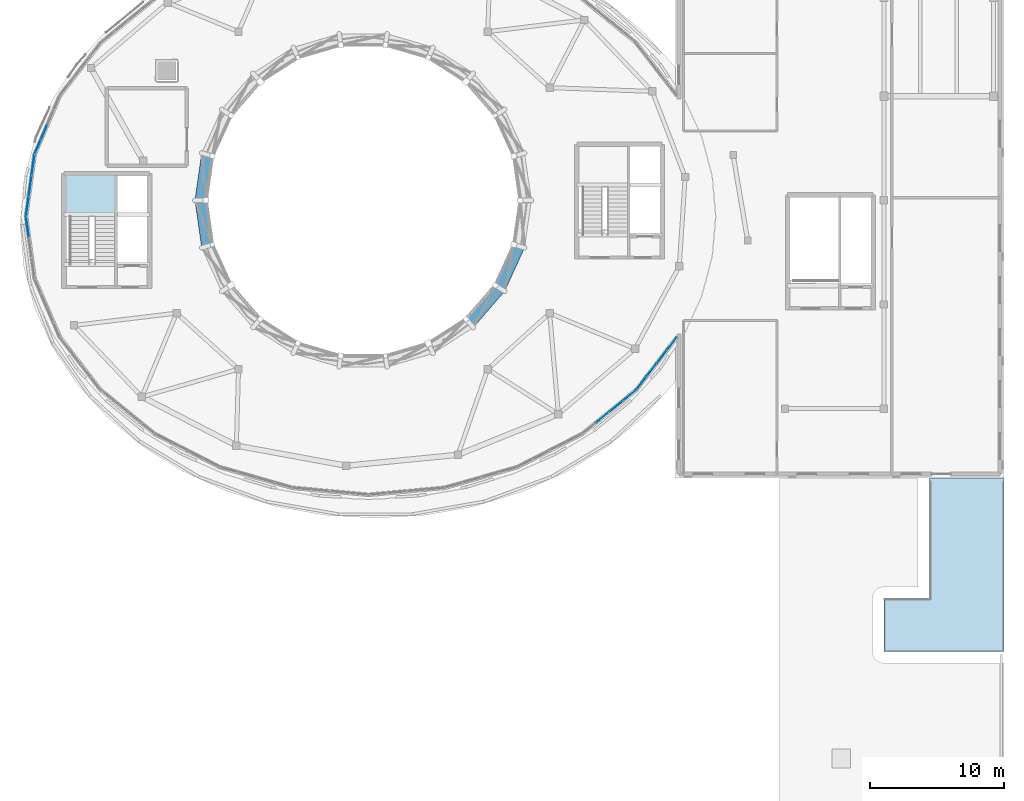
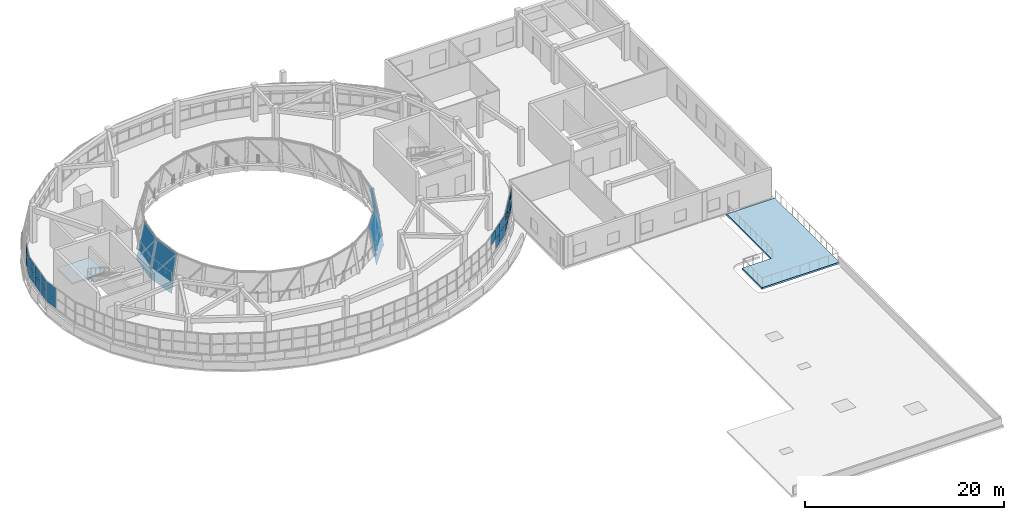
# One storey, part 30 of 46: 29 plates, 2 slabs, 6 elements without a shape of their own.
"""IFC4 building model written with IfcOpenShell, lengths in metres."""

from ifc_helpers import new_model, si_unit, direction, frame, origin, origin_2d, place, context, subcontext, project, spatial, polyline, rectangle, outline, extrude, material, layer, layer_set, type_object, element, aggregate, save


model = new_model("IFC4")

# Units and contexts
model_context = context("Model", 3, precision=1e-05, world=origin(), true_north=direction((0.0, 1.0)))
body_context = subcontext(model_context, "Body", "Model", "MODEL_VIEW")
ifc_project = project(units=[si_unit("LENGTHUNIT", "METRE"), si_unit("AREAUNIT", "SQUARE_METRE"), si_unit("VOLUMEUNIT", "CUBIC_METRE"), si_unit("PLANEANGLEUNIT", "RADIAN"), si_unit("MASSUNIT", "GRAM", prefix="KILO")], contexts=[model_context])

# Site, building, storey
site_placement = place(None, origin())
site = spatial("IfcSite", under=ifc_project, at=site_placement, CompositionType="ELEMENT")
building_placement = place(site_placement, origin())
building = spatial("IfcBuilding", under=site, at=building_placement, Name="Pelvatis Terrace Science Centre", CompositionType="ELEMENT")
storey_placement = place(building_placement, frame((0.0, 0.0, 19.800048828125)))
storey = spatial("IfcBuildingStorey", under=building, at=storey_placement, Name="L04", CompositionType="ELEMENT", Elevation=19.800048828125)

# Curtain wall, plates
ifc_material_1 = material(Name="Bronze-anodised aluminium and laminated glass", Category="aluminium")
ifc_layer_1 = layer(ifc_material_1, 0.14990234375)
ifc_layer_set_1 = layer_set([ifc_layer_1], Name="Bronze-anodised aluminium and laminated glass")
curtain_wall_type = type_object("IfcCurtainWallType", Name="CW-PASSAGE-C", PredefinedType="NOTDEFINED", material=ifc_layer_set_1)
curtain_wall_1_placement = place(storey_placement, origin())
curtain_wall_1 = element("IfcCurtainWall", 1, at=curtain_wall_1_placement, inside=storey, type_object=curtain_wall_type, Name="Ribbon curtain wall CW-223 (L04)", PredefinedType="NOTDEFINED")
ifc_material_2 = material(Name="Low-e laminated solar-control double glazing", Category="glass")
ifc_layer_2 = layer(ifc_material_2, 0.0400390625)
ifc_layer_set_2 = layer_set([ifc_layer_2], Name="Low-e laminated solar-control double glazing")
plate_type_1 = type_object("IfcPlateType", Name="CWP-SPN-40", PredefinedType="CURTAIN_PANEL", material=ifc_layer_set_2)
plate_1_placement = place(storey_placement, frame((85.304443359375, 90.89208984375, 1.074951171875), z_axis=(0.0, 0.0, 1.0), x_axis=(-0.395385330111, -0.918515345943, 0.0)))
plate_1 = element("IfcPlate", 2, at=plate_1_placement, type_object=plate_type_1, Name="CW-223 panel 3.1", PredefinedType="CURTAIN_PANEL", context=body_context, shape_type="SweptSolid", body=[
    extrude(rectangle(XDim=1.14453125, YDim=0.0400390625, at=origin_2d()), origin(), (0.0, 0.0, 1.0), 1.1923828125),
])
plate_2_placement = place(storey_placement, frame((85.304443359375, 90.89208984375, 2.322509765625), z_axis=(0.0, 0.0, 1.0), x_axis=(-0.395385330111, -0.918515345943, 0.0)))
plate_2 = element("IfcPlate", 3, at=plate_2_placement, type_object=plate_type_1, Name="CW-223 panel 3.2", PredefinedType="CURTAIN_PANEL", context=body_context, shape_type="SweptSolid", body=[
    extrude(rectangle(XDim=1.14453125, YDim=0.0400390625, at=origin_2d()), origin(), (0.0, 0.0, 1.0), 1.1923828125),
])
plate_3_placement = place(storey_placement, frame((84.835693359375, 89.802978515625, 1.074951171875), z_axis=(0.0, 0.0, 1.0), x_axis=(-0.395385330111, -0.918515345943, 0.0)))
plate_3 = element("IfcPlate", 4, at=plate_3_placement, type_object=plate_type_1, Name="CW-223 panel 4.1", PredefinedType="CURTAIN_PANEL", context=body_context, shape_type="SweptSolid", body=[
    extrude(rectangle(XDim=1.116943359375, YDim=0.0400390625, at=origin_2d()), origin(), (0.0, 0.0, 1.0), 1.1923828125),
])
plate_4_placement = place(storey_placement, frame((84.835693359375, 89.802978515625, 2.322509765625), z_axis=(0.0, 0.0, 1.0), x_axis=(-0.395385330111, -0.918515345943, 0.0)))
plate_4 = element("IfcPlate", 5, at=plate_4_placement, type_object=plate_type_1, Name="CW-223 panel 4.2", PredefinedType="CURTAIN_PANEL", context=body_context, shape_type="SweptSolid", body=[
    extrude(rectangle(XDim=1.116943359375, YDim=0.0400390625, at=origin_2d()), origin(), (0.0, 0.0, 1.0), 1.1923828125),
])
aggregate(curtain_wall_1, [plate_1, plate_2, plate_3, plate_4])

curtain_wall_2_placement = place(storey_placement, origin())
curtain_wall_2 = element("IfcCurtainWall", 6, at=curtain_wall_2_placement, inside=storey, type_object=curtain_wall_type, Name="Ribbon curtain wall CW-224 (L04)", PredefinedType="NOTDEFINED")
plate_5_placement = place(storey_placement, frame((84.484130859375, 88.45263671875, 1.074951171875), z_axis=(0.0, 0.0, 1.0), x_axis=(-0.137298402914, -0.990529731284, 0.0)))
plate_5 = element("IfcPlate", 7, at=plate_5_placement, type_object=plate_type_1, Name="CW-224 panel 1.1", PredefinedType="CURTAIN_PANEL", context=body_context, shape_type="SweptSolid", body=[
    extrude(rectangle(XDim=1.478759765625, YDim=0.0400390625, at=origin_2d()), origin(), (0.0, 0.0, 1.0), 1.1923828125),
])
plate_6_placement = place(storey_placement, frame((84.484130859375, 88.45263671875, 2.322509765625), z_axis=(0.0, 0.0, 1.0), x_axis=(-0.137298402914, -0.990529731284, 0.0)))
plate_6 = element("IfcPlate", 8, at=plate_6_placement, type_object=plate_type_1, Name="CW-224 panel 1.2", PredefinedType="CURTAIN_PANEL", context=body_context, shape_type="SweptSolid", body=[
    extrude(rectangle(XDim=1.478759765625, YDim=0.0400390625, at=origin_2d()), origin(), (0.0, 0.0, 1.0), 1.1923828125),
])
plate_7_placement = place(storey_placement, frame((84.271484375, 86.919921875, 1.074951171875), z_axis=(0.0, 0.0, 1.0), x_axis=(-0.137298402914, -0.990529731284, 0.0)))
plate_7 = element("IfcPlate", 9, at=plate_7_placement, type_object=plate_type_1, Name="CW-224 panel 2.1", PredefinedType="CURTAIN_PANEL", context=body_context, shape_type="SweptSolid", body=[
    extrude(rectangle(XDim=1.50634765625, YDim=0.0400390625, at=origin_2d()), origin(), (0.0, 0.0, 1.0), 1.1923828125),
])
plate_8_placement = place(storey_placement, frame((84.271484375, 86.919921875, 2.322509765625), z_axis=(0.0, 0.0, 1.0), x_axis=(-0.137298402914, -0.990529731284, 0.0)))
plate_8 = element("IfcPlate", 10, at=plate_8_placement, type_object=plate_type_1, Name="CW-224 panel 2.2", PredefinedType="CURTAIN_PANEL", context=body_context, shape_type="SweptSolid", body=[
    extrude(rectangle(XDim=1.50634765625, YDim=0.0400390625, at=origin_2d()), origin(), (0.0, 0.0, 1.0), 1.1923828125),
])
plate_9_placement = place(storey_placement, frame((84.05908203125, 85.386962890625, 1.074951171875), z_axis=(0.0, 0.0, 1.0), x_axis=(-0.137298402914, -0.990529731284, 0.0)))
plate_9 = element("IfcPlate", 11, at=plate_9_placement, type_object=plate_type_1, Name="CW-224 panel 3.1", PredefinedType="CURTAIN_PANEL", context=body_context, shape_type="SweptSolid", body=[
    extrude(rectangle(XDim=1.478759765625, YDim=0.0400390625, at=origin_2d()), origin(), (0.0, 0.0, 1.0), 1.1923828125),
])
plate_10_placement = place(storey_placement, frame((84.05908203125, 85.386962890625, 2.322509765625), z_axis=(0.0, 0.0, 1.0), x_axis=(-0.137298402914, -0.990529731284, 0.0)))
plate_10 = element("IfcPlate", 12, at=plate_10_placement, type_object=plate_type_1, Name="CW-224 panel 3.2", PredefinedType="CURTAIN_PANEL", context=body_context, shape_type="SweptSolid", body=[
    extrude(rectangle(XDim=1.478759765625, YDim=0.0400390625, at=origin_2d()), origin(), (0.0, 0.0, 1.0), 1.1923828125),
])
aggregate(curtain_wall_2, [plate_5, plate_6, plate_7, plate_8, plate_9, plate_10])

curtain_wall_3_placement = place(storey_placement, origin())
curtain_wall_3 = element("IfcCurtainWall", 13, at=curtain_wall_3_placement, inside=storey, type_object=curtain_wall_type, Name="Ribbon curtain wall CW-225 (L04)", PredefinedType="NOTDEFINED")
plate_11_placement = place(storey_placement, frame((84.05908203125, 83.813232421875, 1.074951171875), z_axis=(0.0, 0.0, 1.0), x_axis=(0.137298402914, -0.990529731284, 0.0)))
plate_11 = element("IfcPlate", 14, at=plate_11_placement, type_object=plate_type_1, Name="CW-225 panel 1.1", PredefinedType="CURTAIN_PANEL", context=body_context, shape_type="SweptSolid", body=[
    extrude(rectangle(XDim=1.478759765625, YDim=0.0400390625, at=origin_2d()), origin(), (0.0, 0.0, 1.0), 1.1923828125),
])
plate_12_placement = place(storey_placement, frame((84.05908203125, 83.813232421875, 2.322509765625), z_axis=(0.0, 0.0, 1.0), x_axis=(0.137298402914, -0.990529731284, 0.0)))
plate_12 = element("IfcPlate", 15, at=plate_12_placement, type_object=plate_type_1, Name="CW-225 panel 1.2", PredefinedType="CURTAIN_PANEL", context=body_context, shape_type="SweptSolid", body=[
    extrude(rectangle(XDim=1.478759765625, YDim=0.0400390625, at=origin_2d()), origin(), (0.0, 0.0, 1.0), 1.1923828125),
])
aggregate(curtain_wall_3, [plate_11, plate_12])

curtain_wall_4_placement = place(storey_placement, origin())
curtain_wall_4 = element("IfcCurtainWall", 16, at=curtain_wall_4_placement, inside=storey, type_object=curtain_wall_type, Name="Ribbon curtain wall CW-235 (L04)", PredefinedType="NOTDEFINED")
plate_13_placement = place(storey_placement, frame((127.115478515625, 69.536865234375, 2.322509765625), z_axis=(0.0, 0.0, 1.0), x_axis=(0.775980152456, 0.630757324963, 0.0)))
plate_13 = element("IfcPlate", 17, at=plate_13_placement, type_object=plate_type_1, Name="CW-235 panel 2.2", PredefinedType="CURTAIN_PANEL", context=body_context, shape_type="SweptSolid", body=[
    extrude(rectangle(XDim=1.25341796875, YDim=0.0400390625, at=origin_2d()), origin(), (0.0, 0.0, 1.0), 1.1923828125),
])
plate_14_placement = place(storey_placement, frame((128.130859375, 70.362060546875, 1.074951171875), z_axis=(0.0, 0.0, 1.0), x_axis=(0.775980152456, 0.630757324963, 0.0)))
plate_14 = element("IfcPlate", 18, at=plate_14_placement, type_object=plate_type_1, Name="CW-235 panel 3.1", PredefinedType="CURTAIN_PANEL", context=body_context, shape_type="SweptSolid", body=[
    extrude(rectangle(XDim=1.25341796875, YDim=0.0400390625, at=origin_2d()), origin(), (0.0, 0.0, 1.0), 1.1923828125),
])
plate_15_placement = place(storey_placement, frame((128.130859375, 70.362060546875, 2.322509765625), z_axis=(0.0, 0.0, 1.0), x_axis=(0.775980152456, 0.630757324963, 0.0)))
plate_15 = element("IfcPlate", 19, at=plate_15_placement, type_object=plate_type_1, Name="CW-235 panel 3.2", PredefinedType="CURTAIN_PANEL", context=body_context, shape_type="SweptSolid", body=[
    extrude(rectangle(XDim=1.25341796875, YDim=0.0400390625, at=origin_2d()), origin(), (0.0, 0.0, 1.0), 1.1923828125),
])
plate_16_placement = place(storey_placement, frame((129.1357421875, 71.178955078125, 1.074951171875), z_axis=(0.0, 0.0, 1.0), x_axis=(0.775980152456, 0.630757324963, 0.0)))
plate_16 = element("IfcPlate", 20, at=plate_16_placement, type_object=plate_type_1, Name="CW-235 panel 4.1", PredefinedType="CURTAIN_PANEL", context=body_context, shape_type="SweptSolid", body=[
    extrude(rectangle(XDim=1.22607421875, YDim=0.0400390625, at=origin_2d()), origin(), (0.0, 0.0, 1.0), 1.1923828125),
])
plate_17_placement = place(storey_placement, frame((129.1357421875, 71.178955078125, 2.322509765625), z_axis=(0.0, 0.0, 1.0), x_axis=(0.775980152456, 0.630757324963, 0.0)))
plate_17 = element("IfcPlate", 21, at=plate_17_placement, type_object=plate_type_1, Name="CW-235 panel 4.2", PredefinedType="CURTAIN_PANEL", context=body_context, shape_type="SweptSolid", body=[
    extrude(rectangle(XDim=1.22607421875, YDim=0.0400390625, at=origin_2d()), origin(), (0.0, 0.0, 1.0), 1.1923828125),
])
aggregate(curtain_wall_4, [plate_13, plate_14, plate_15, plate_16, plate_17])

curtain_wall_5_placement = place(storey_placement, origin())
curtain_wall_5 = element("IfcCurtainWall", 22, at=curtain_wall_5_placement, inside=storey, type_object=curtain_wall_type, Name="Ribbon curtain wall CW-236 (L04)", PredefinedType="NOTDEFINED")
plate_18_placement = place(storey_placement, frame((130.04443359375, 72.105224609375, 1.074951171875), z_axis=(0.0, 0.0, 1.0), x_axis=(0.611582483994, 0.791180678019, 0.0)))
plate_18 = element("IfcPlate", 23, at=plate_18_placement, type_object=plate_type_1, Name="CW-236 panel 1.1", PredefinedType="CURTAIN_PANEL", context=body_context, shape_type="SweptSolid", body=[
    extrude(rectangle(XDim=1.166748046875, YDim=0.0400390625, at=origin_2d()), origin(), (0.0, 0.0, 1.0), 1.1923828125),
])
plate_19_placement = place(storey_placement, frame((130.04443359375, 72.105224609375, 2.322509765625), z_axis=(0.0, 0.0, 1.0), x_axis=(0.611582483994, 0.791180678019, 0.0)))
plate_19 = element("IfcPlate", 24, at=plate_19_placement, type_object=plate_type_1, Name="CW-236 panel 1.2", PredefinedType="CURTAIN_PANEL", context=body_context, shape_type="SweptSolid", body=[
    extrude(rectangle(XDim=1.166748046875, YDim=0.0400390625, at=origin_2d()), origin(), (0.0, 0.0, 1.0), 1.1923828125),
])
plate_20_placement = place(storey_placement, frame((130.800048828125, 73.082763671875, 1.074951171875), z_axis=(0.0, 0.0, 1.0), x_axis=(0.611582483994, 0.791180678019, 0.0)))
plate_20 = element("IfcPlate", 25, at=plate_20_placement, type_object=plate_type_1, Name="CW-236 panel 2.1", PredefinedType="CURTAIN_PANEL", context=body_context, shape_type="SweptSolid", body=[
    extrude(rectangle(XDim=1.194091796875, YDim=0.0400390625, at=origin_2d()), origin(), (0.0, 0.0, 1.0), 1.1923828125),
])
plate_21_placement = place(storey_placement, frame((130.800048828125, 73.082763671875, 2.322509765625), z_axis=(0.0, 0.0, 1.0), x_axis=(0.611582483994, 0.791180678019, 0.0)))
plate_21 = element("IfcPlate", 26, at=plate_21_placement, type_object=plate_type_1, Name="CW-236 panel 2.2", PredefinedType="CURTAIN_PANEL", context=body_context, shape_type="SweptSolid", body=[
    extrude(rectangle(XDim=1.194091796875, YDim=0.0400390625, at=origin_2d()), origin(), (0.0, 0.0, 1.0), 1.1923828125),
])
plate_22_placement = place(storey_placement, frame((131.56396484375, 74.071044921875, 1.074951171875), z_axis=(0.0, 0.0, 1.0), x_axis=(0.611582483994, 0.791180678019, 0.0)))
plate_22 = element("IfcPlate", 27, at=plate_22_placement, type_object=plate_type_1, Name="CW-236 panel 3.1", PredefinedType="CURTAIN_PANEL", context=body_context, shape_type="SweptSolid", body=[
    extrude(rectangle(XDim=1.194091796875, YDim=0.0400390625, at=origin_2d()), origin(), (0.0, 0.0, 1.0), 1.1923828125),
])
plate_23_placement = place(storey_placement, frame((131.56396484375, 74.071044921875, 2.322509765625), z_axis=(0.0, 0.0, 1.0), x_axis=(0.611582483994, 0.791180678019, 0.0)))
plate_23 = element("IfcPlate", 28, at=plate_23_placement, type_object=plate_type_1, Name="CW-236 panel 3.2", PredefinedType="CURTAIN_PANEL", context=body_context, shape_type="SweptSolid", body=[
    extrude(rectangle(XDim=1.194091796875, YDim=0.0400390625, at=origin_2d()), origin(), (0.0, 0.0, 1.0), 1.1923828125),
])
plate_24_placement = place(storey_placement, frame((132.319580078125, 75.04833984375, 1.074951171875), z_axis=(0.0, 0.0, 1.0), x_axis=(0.611582483994, 0.791180678019, 0.0)))
plate_24 = element("IfcPlate", 29, at=plate_24_placement, type_object=plate_type_1, Name="CW-236 panel 4.1", PredefinedType="CURTAIN_PANEL", context=body_context, shape_type="SweptSolid", body=[
    extrude(rectangle(XDim=1.166748046875, YDim=0.0400390625, at=origin_2d()), origin(), (0.0, 0.0, 1.0), 1.1923828125),
])
plate_25_placement = place(storey_placement, frame((132.319580078125, 75.04833984375, 2.322509765625), z_axis=(0.0, 0.0, 1.0), x_axis=(0.611582483994, 0.791180678019, 0.0)))
plate_25 = element("IfcPlate", 30, at=plate_25_placement, type_object=plate_type_1, Name="CW-236 panel 4.2", PredefinedType="CURTAIN_PANEL", context=body_context, shape_type="SweptSolid", body=[
    extrude(rectangle(XDim=1.166748046875, YDim=0.0400390625, at=origin_2d()), origin(), (0.0, 0.0, 1.0), 1.1923828125),
])
aggregate(curtain_wall_5, [plate_18, plate_19, plate_20, plate_21, plate_22, plate_23, plate_24, plate_25])

# Plates
ifc_material_3 = material(Name="Bronze-patinated standing-seam titanium-zinc sheet", Category="steel")
ifc_layer_3 = layer(ifc_material_3, 0.01611328125)
ifc_layer_set_3 = layer_set([ifc_layer_3], Name="Bronze-patinated standing-seam titanium-zinc sheet")
plate_type_2 = type_object("IfcPlateType", Name="PLT-DOM-SH16", PredefinedType="SHEET", material=ifc_layer_set_3)
plate_26_placement = place(storey_placement, frame((97.1103515625, 89.349853515625, -1.199951171875), z_axis=(-0.973579117475, 0.139938579132, 0.18044638009), x_axis=(-0.142274196334, -0.989827284458, -9.01836e-07)))
element("IfcPlate", 31, at=plate_26_placement, inside=storey, type_object=plate_type_2, Name="Planetarium dome shell panel 1.11", PredefinedType="SHEET", context=body_context, shape_type="SweptSolid", body=[
    extrude(outline(polyline([(0.0, 0.0), (3.5862894986209777, -2.7755575615628914e-17), (3.4672141508474263, 4.590741826159659), (0.11919351699121081, 4.59073546818497), (0.0, 0.0)])), origin(), (0.0, 0.0, -1.0), 0.013916015625),
])
plate_27_placement = place(storey_placement, frame((96.60009765625, 85.800048828125, -1.199951171875), z_axis=(-0.973580483011, -0.139933798038, 0.180442720181), x_axis=(0.142269399753, -0.989827973888, 1.790812e-06)))
element("IfcPlate", 32, at=plate_27_placement, inside=storey, type_object=plate_type_2, Name="Planetarium dome shell panel 1.12", PredefinedType="SHEET", context=body_context, shape_type="SweptSolid", body=[
    extrude(outline(polyline([(0.0, 0.0), (3.5862894984891485, 1.3877787807814457e-17), (3.467337638638345, 4.590729200341449), (0.1190753475142695, 4.5907418260634), (0.0, 0.0)])), origin(), (0.0, 0.0, -1.0), 0.013916015625),
])
plate_28_placement = place(storey_placement, frame((117.451171875, 76.277587890625, -1.199951171875), z_axis=(0.743352083372, -0.644104572381, 0.180435528608), x_axis=(0.654854227491, 0.755755212109, -1.0344914e-05)))
element("IfcPlate", 33, at=plate_28_placement, inside=storey, type_object=plate_type_2, Name="Planetarium dome shell panel 1.20", PredefinedType="SHEET", context=body_context, shape_type="SweptSolid", body=[
    extrude(outline(polyline([(0.0, 0.0), (3.5862637397673605, 5.551115123125783e-17), (3.467215703141475, 4.590765822538253), (0.11907270109544621, 4.5906928896343535), (0.0, 0.0)])), origin(), (0.0, 0.0, -1.0), 0.013916015625),
])
plate_29_placement = place(storey_placement, frame((119.7998046875, 78.98779296875, -1.199951171875), z_axis=(0.894704511848, -0.408585305387, 0.180449119425), x_axis=(0.415403552876, 0.909637228915, 5.386405e-06)))
element("IfcPlate", 34, at=plate_29_placement, inside=storey, type_object=plate_type_2, Name="Planetarium dome shell panel 1.21", PredefinedType="SHEET", context=body_context, shape_type="SweptSolid", body=[
    extrude(outline(polyline([(0.0, 0.0), (3.586492863683238, -2.7755575615628914e-17), (3.4672636796138905, 4.590722005012002), (0.11927324157045129, 4.590759980337673), (0.0, 0.0)])), origin(), (0.0, 0.0, -1.0), 0.013916015625),
])

# Stair, slab
ifc_material_4 = material(Name="Concrete C35/45", Category="concrete")
stair_type = type_object("IfcStairType", Name="STR-2RUN-1500-45", PredefinedType="TWO_STRAIGHT_RUN_STAIR", material=ifc_material_4)
stair_placement = place(storey_placement, origin())
stair = element("IfcStair", 35, at=stair_placement, inside=storey, type_object=stair_type, Name="Protected core stair ST-01-L04", PredefinedType="TWO_STRAIGHT_RUN_STAIR")
ifc_material_5 = material(Name="Concrete C35/45", Category="concrete")
ifc_layer_4 = layer(ifc_material_5, 0.199951171875)
ifc_layer_set_4 = layer_set([ifc_layer_4], Name="Concrete C35/45")
slab_type_1 = type_object("IfcSlabType", Name="SLB-LND-200", PredefinedType="LANDING", material=ifc_layer_set_4)
slab_1_placement = place(storey_placement, frame((0.0, 0.0, 2.050048828125)))
slab_1 = element("IfcSlab", 36, at=slab_1_placement, type_object=slab_type_1, Name="ST-01-L04 landing 1", PredefinedType="LANDING", context=body_context, shape_type="SweptSolid", body=[
    extrude(outline(polyline([(86.929931640625, 84.60009765625), (90.64990234375, 84.60009765625), (90.64990234375, 87.669921875), (86.929931640625, 87.669921875), (86.929931640625, 84.60009765625)])), origin(), (0.0, 0.0, 1.0), 0.199951171875),
])
aggregate(stair, [slab_1])

# Slab
ifc_material_6 = material(Name="Concrete C35/45", Category="concrete")
ifc_layer_5 = layer(ifc_material_6, 0.2119140625)
ifc_layer_set_5 = layer_set([ifc_layer_5], Name="Concrete C35/45")
slab_type_2 = type_object("IfcSlabType", Name="SLB-TER-212", PredefinedType="FLOOR", material=ifc_layer_set_5)
slab_2_placement = place(storey_placement, frame((0.0, 0.0, -0.212158203125)))
element("IfcSlab", 37, at=slab_2_placement, inside=storey, type_object=slab_type_2, Name="L04 East coastal overlook terrace slab", PredefinedType="FLOOR", context=body_context, shape_type="SweptSolid", body=[
    extrude(outline(polyline([(148.199951171875, 56.0), (151.60009765625, 56.0), (151.60009765625, 64.97998046875), (157.199951171875, 64.97998046875), (157.199951171875, 52.0), (148.199951171875, 52.0), (148.199951171875, 56.0)])), origin(), (0.0, 0.0, 1.0), 0.212158203125),
])

save(model, "model.ifc")
